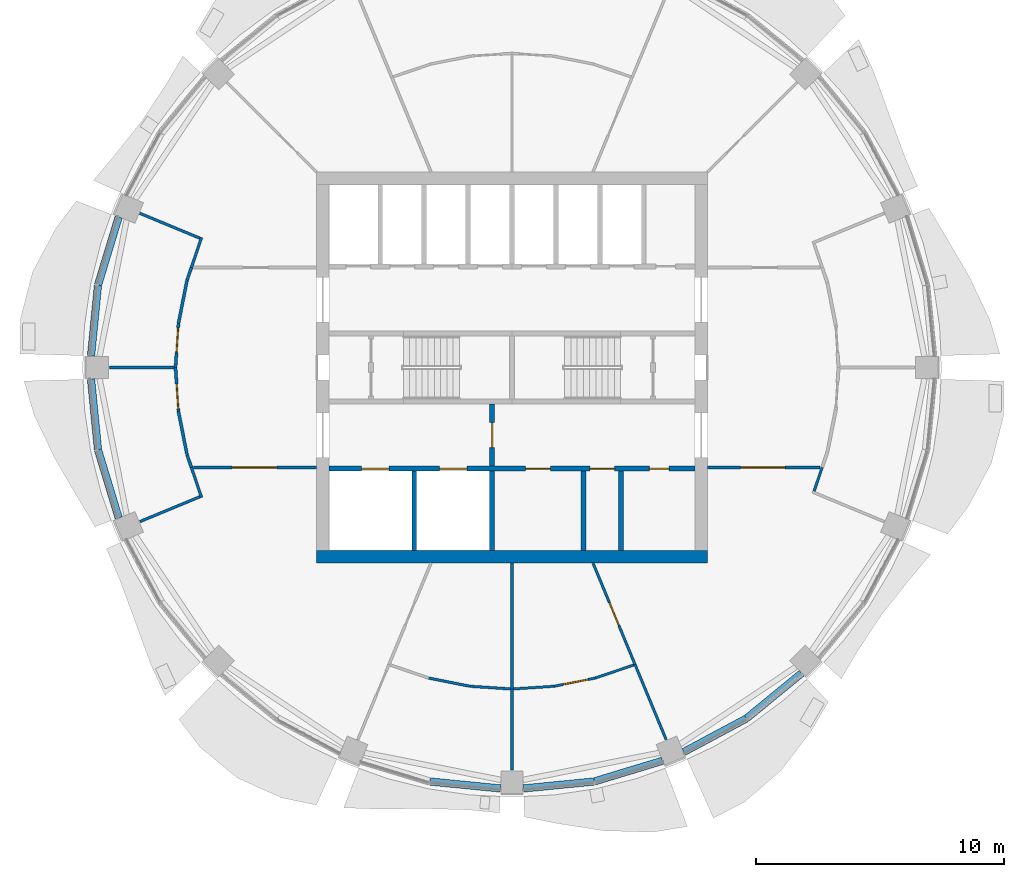
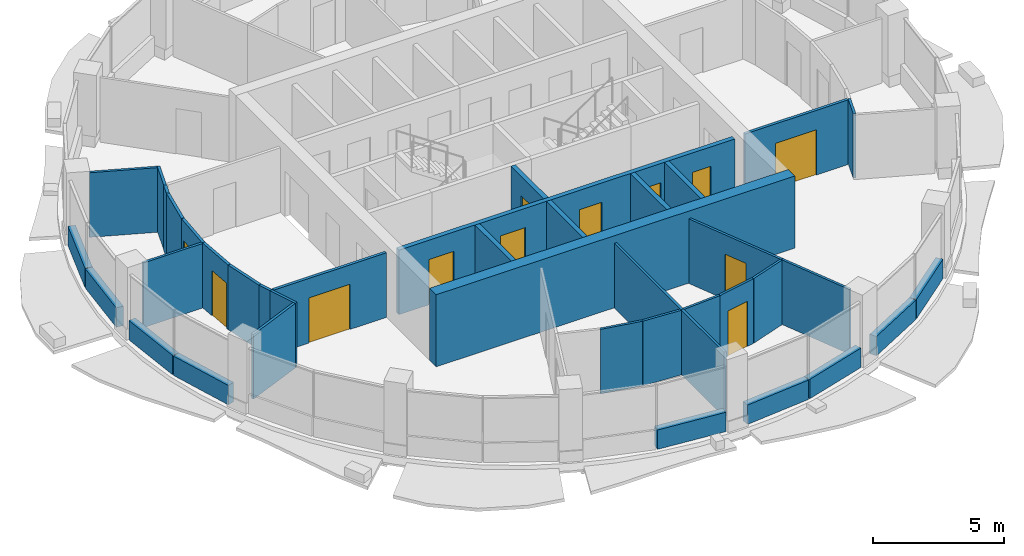
# One storey, part 8 of 15: 39 walls, 12 doors, 12 openings.
"""IFC4 building model written with IfcOpenShell, lengths in metres."""

from ifc_helpers import new_model, si_unit, direction, frame, frame_2d, origin, place, context, subcontext, project, spatial, rectangle, extrude, material, layer, layer_set, type_object, element, fill, save


model = new_model("IFC4")

# Units and contexts
model_context = context("Model", 3, precision=1e-05, world=origin(), true_north=direction((0.0, 1.0)))
body_context = subcontext(model_context, "Body", "Model", "MODEL_VIEW")
ifc_project = project(units=[si_unit("LENGTHUNIT", "METRE"), si_unit("AREAUNIT", "SQUARE_METRE"), si_unit("VOLUMEUNIT", "CUBIC_METRE"), si_unit("PLANEANGLEUNIT", "RADIAN"), si_unit("MASSUNIT", "GRAM", prefix="KILO")], contexts=[model_context])

# Site, building, storey
site_placement = place(None, origin())
site = spatial("IfcSite", under=ifc_project, at=site_placement, CompositionType="ELEMENT")
building_placement = place(site_placement, origin())
building = spatial("IfcBuilding", under=site, at=building_placement, Name="Polderwave Tower", CompositionType="ELEMENT")
storey_placement = place(building_placement, frame((0.0, 0.0, 197.699951171875)))
storey = spatial("IfcBuildingStorey", under=building, at=storey_placement, Name="L53", CompositionType="ELEMENT", Elevation=197.699951171875)

# Walls
ifc_material_1 = material(Name="Concrete C60/75", Category="concrete")
ifc_layer_1 = layer(ifc_material_1, 0.5)
ifc_layer_set_1 = layer_set([ifc_layer_1], Name="CORE WALL 500 C60/75")
wall_type_1 = type_object("IfcWallType", Name="CORE WALL 500 C60/75", PredefinedType="SHEAR", material=ifc_layer_set_1)
wall_1_placement = place(storey_placement, frame((-7.8740234375, -7.6240234375, 0.0), z_axis=(0.0, 0.0, 1.0), x_axis=(1.0, 0.0, 0.0)))
element("IfcWall", 1, at=wall_1_placement, inside=storey, type_object=wall_type_1, Name="ST-CORE-L53-S", PredefinedType="SHEAR", context=body_context, shape_type="SweptSolid", body=[
    extrude(rectangle(XDim=15.748046875, YDim=0.5, at=frame_2d((7.8740234375, 0.0))), origin(), (0.0, 0.0, 1.0), 3.35009765625),
])
ifc_material_2 = material(Name="Concrete C50/60 (board-marked)", Category="concrete")
ifc_layer_2 = layer(ifc_material_2, 0.300048828125)
ifc_layer_set_2 = layer_set([ifc_layer_2], Name="Concrete spandrel upstand C50/60")
wall_type_2 = type_object("IfcWallType", Name="Concrete spandrel upstand C50/60", PredefinedType="SOLIDWALL", material=ifc_layer_set_2)
wall_2_placement = place(storey_placement, frame((-15.84033203125, 6.0595703125, 0.0), z_axis=(0.0, 0.0, 1.0), x_axis=(-0.290432618929, -0.956895445627, 0.0)))
element("IfcWall", 2, at=wall_2_placement, inside=storey, type_object=wall_type_2, Name="Spandrel L53 8a", PredefinedType="SOLIDWALL", context=body_context, shape_type="SweptSolid", body=[
    extrude(rectangle(XDim=2.852294921875, YDim=0.300048828125, at=frame_2d((1.42626953125, 0.0))), origin(), (0.0, 0.0, 1.0), 0.900146484375),
])
for number, where, z_axis, x_axis, name in (
    (3, (-16.674560546875, 3.301025390625, 0.0), (0.0, 0.0, 1.0), (-0.098223350935, -0.995164395128, 0.0), "Spandrel L53 8b"),
    (4, (-16.95458984375, -0.4638671875, 0.0), (0.0, 0.0, 1.0), (0.098223350935, -0.995164395128, 0.0), "Spandrel L53 9a"),
):
    element("IfcWall", number, at=place(storey_placement, frame(where, z_axis=z_axis, x_axis=x_axis)), inside=storey, type_object=wall_type_2, Name=name, PredefinedType="SOLIDWALL", context=body_context, shape_type="SweptSolid", body=[
        extrude(rectangle(XDim=2.850830078125, YDim=0.300048828125, at=frame_2d((1.42529296875, 0.0))), origin(), (0.0, 0.0, 1.0), 0.900146484375),
    ])
wall_3_placement = place(storey_placement, frame((-16.668701171875, -3.330322265625, 0.0), z_axis=(0.0, 0.0, 1.0), x_axis=(0.290432618929, -0.956895445627, 0.0)))
element("IfcWall", 5, at=wall_3_placement, inside=storey, type_object=wall_type_2, Name="Spandrel L53 9b", PredefinedType="SOLIDWALL", context=body_context, shape_type="SweptSolid", body=[
    extrude(rectangle(XDim=2.852294921875, YDim=0.300048828125, at=frame_2d((1.42626953125, 0.0))), origin(), (0.0, 0.0, 1.0), 0.900146484375),
])
for number, where, z_axis, x_axis, name in (
    (6, (-3.301025390625, -16.674560546875, 0.0), (0.0, 0.0, 1.0), (0.995164395128, -0.098223350935, 0.0), "Spandrel L53 12b"),
    (7, (0.4638671875, -16.95458984375, 0.0), (0.0, 0.0, 1.0), (0.995164395128, 0.098223350935, 0.0), "Spandrel L53 13a"),
):
    element("IfcWall", number, at=place(storey_placement, frame(where, z_axis=z_axis, x_axis=x_axis)), inside=storey, type_object=wall_type_2, Name=name, PredefinedType="SOLIDWALL", context=body_context, shape_type="SweptSolid", body=[
        extrude(rectangle(XDim=2.850830078125, YDim=0.300048828125, at=frame_2d((1.42529296875, 0.0))), origin(), (0.0, 0.0, 1.0), 0.900146484375),
    ])
wall_4_placement = place(storey_placement, frame((3.330322265625, -16.668701171875, 0.0), z_axis=(0.0, 0.0, 1.0), x_axis=(0.956895445627, 0.290432618929, 0.0)))
element("IfcWall", 8, at=wall_4_placement, inside=storey, type_object=wall_type_2, Name="Spandrel L53 13b", PredefinedType="SOLIDWALL", context=body_context, shape_type="SweptSolid", body=[
    extrude(rectangle(XDim=2.852294921875, YDim=0.300048828125, at=frame_2d((1.42626953125, 0.0))), origin(), (0.0, 0.0, 1.0), 0.900146484375),
])
wall_5_placement = place(storey_placement, frame((6.917236328125, -15.48583984375, 0.0), z_axis=(0.0, 0.0, 1.0), x_axis=(0.881897285756, 0.471441594872, 0.0)))
element("IfcWall", 9, at=wall_5_placement, inside=storey, type_object=wall_type_2, Name="Spandrel L53 14a", PredefinedType="SOLIDWALL", context=body_context, shape_type="SweptSolid", body=[
    extrude(rectangle(XDim=2.850341796875, YDim=0.300048828125, at=frame_2d((1.42529296875, 0.0))), origin(), (0.0, 0.0, 1.0), 0.900146484375),
])
wall_6_placement = place(storey_placement, frame((9.45556640625, -14.12548828125, 0.0), z_axis=(0.0, 0.0, 1.0), x_axis=(0.773213238462, 0.634146109242, 0.0)))
element("IfcWall", 10, at=wall_6_placement, inside=storey, type_object=wall_type_2, Name="Spandrel L53 14b", PredefinedType="SOLIDWALL", context=body_context, shape_type="SweptSolid", body=[
    extrude(rectangle(XDim=2.852783203125, YDim=0.300048828125, at=frame_2d((1.42626953125, 0.0))), origin(), (0.0, 0.0, 1.0), 0.900146484375),
])

# Wall, opening, door
ifc_material_3 = material(Name="Gypsum board partition")
ifc_layer_3 = layer(ifc_material_3, 0.199951171875)
ifc_layer_set_3 = layer_set([ifc_layer_3], Name="Core room partition 200")
wall_type_3 = type_object("IfcWallType", Name="Core room partition 200", PredefinedType="PARTITIONING", material=ifc_layer_set_3)
wall_7_placement = place(storey_placement, frame((-0.800048828125, -3.97412109375, 0.0), z_axis=(0.0, 0.0, 1.0), x_axis=(0.0, 1.0, 0.0)))
wall_7 = element("IfcWall", 11, at=wall_7_placement, inside=storey, type_object=wall_type_3, Name="L53 fire-fighting lobby wall", PredefinedType="PARTITIONING", context=body_context, shape_type="SweptSolid", body=[
    extrude(rectangle(XDim=2.4990234375, YDim=0.199951171875, at=frame_2d((1.24951171875, 0.0))), origin(), (0.0, 0.0, 1.0), 3.0),
])
opening_1_placement = place(wall_7_placement, frame((0.74951171875, 0.0, 0.0)))
opening_1 = element("IfcOpeningElement", 12, at=opening_1_placement, cuts=wall_7, Name="Opening L53-D14", PredefinedType="OPENING", context=body_context, shape_type="SweptSolid", body=[
    extrude(rectangle(XDim=1.0, YDim=2.10009765625, at=frame_2d((0.5, 1.050048828125))), frame((0.0, 0.10986328125, 0.0), z_axis=(0.0, -1.0, 0.0), x_axis=(1.0, 0.0, 0.0)), (0.0, 0.0, 1.0), 0.219970703125),
])
ifc_material_4 = material(Name="Steel fire door", Category="steel")
door_type_1 = type_object("IfcDoorType", Name="Lobby fire door 1000", OperationType="NOTDEFINED", PredefinedType="DOOR", material=ifc_material_4)
door_1_placement = place(opening_1_placement, frame((1.0, 0.0, 0.0), z_axis=(0.0, 0.0, 1.0), x_axis=(-1.0, 0.0, 0.0)))
door_1 = element("IfcDoor", 13, at=door_1_placement, inside=storey, type_object=door_type_1, Name="Fire-fighting lobby door", OperationType="SINGLE_SWING_LEFT", OverallHeight=2.10009765625, OverallWidth=1.0, PredefinedType="DOOR", context=body_context, shape_type="SweptSolid", body=[
    extrude(rectangle(XDim=1.0, YDim=2.10009765625, at=frame_2d((0.5, 1.050048828125))), frame((0.0, 0.02490234375, 0.0), z_axis=(0.0, -1.0, 0.0), x_axis=(1.0, 0.0, 0.0)), (0.0, 0.0, 1.0), 0.050048828125),
])
fill(opening_1, door_1)

# Walls
for number, where, z_axis, x_axis, name in (
    (14, (2.88818359375, -7.3740234375, 0.0), (0.0, 0.0, 1.0), (0.0, 1.0, 0.0), "L53 room partition S1"),
    (15, (4.3837890625, -7.3740234375, 0.0), (0.0, 0.0, 1.0), (0.0, 1.0, 0.0), "L53 room partition S2"),
):
    element("IfcWall", number, at=place(storey_placement, frame(where, z_axis=z_axis, x_axis=x_axis)), inside=storey, type_object=wall_type_3, Name=name, PredefinedType="PARTITIONING", context=body_context, shape_type="SweptSolid", body=[
        extrude(rectangle(XDim=3.199951171875, YDim=0.199951171875, at=frame_2d((1.60009765625, 0.0))), origin(), (0.0, 0.0, 1.0), 3.0),
    ])

# Wall, openings, doors
ifc_material_5 = material(Name="Concrete C50/60", Category="concrete")
ifc_layer_4 = layer(ifc_material_5, 0.199951171875)
ifc_layer_set_4 = layer_set([ifc_layer_4], Name="Core web wall 200")
wall_type_4 = type_object("IfcWallType", Name="Core web wall 200", PredefinedType="SHEAR", material=ifc_layer_set_4)
wall_8_placement = place(storey_placement, frame((-7.3740234375, -4.073974609375, 0.0), z_axis=(0.0, 0.0, 1.0), x_axis=(1.0, 0.0, 0.0)))
wall_8 = element("IfcWall", 16, at=wall_8_placement, inside=storey, type_object=wall_type_4, Name="L53 south front wall", PredefinedType="SHEAR", context=body_context, shape_type="SweptSolid", body=[
    extrude(rectangle(XDim=14.748046875, YDim=0.199951171875, at=frame_2d((7.3740234375, 0.0))), origin(), (0.0, 0.0, 1.0), 3.0),
])
opening_2_placement = place(wall_8_placement, frame((1.318603515625, 0.0, 0.0)))
opening_2 = element("IfcOpeningElement", 17, at=opening_2_placement, cuts=wall_8, Name="Opening L53-D01", PredefinedType="OPENING", context=body_context, shape_type="SweptSolid", body=[
    extrude(rectangle(XDim=1.10009765625, YDim=2.10009765625, at=frame_2d((0.550048828125, 1.050048828125))), frame((0.0, 0.10986328125, 0.0), z_axis=(0.0, -1.0, 0.0), x_axis=(1.0, 0.0, 0.0)), (0.0, 0.0, 1.0), 0.219970703125),
])
opening_3_placement = place(wall_8_placement, frame((4.45556640625, 0.0, 0.0)))
opening_3 = element("IfcOpeningElement", 18, at=opening_3_placement, cuts=wall_8, Name="Opening L53-D02", PredefinedType="OPENING", context=body_context, shape_type="SweptSolid", body=[
    extrude(rectangle(XDim=1.10009765625, YDim=2.10009765625, at=frame_2d((0.550048828125, 1.050048828125))), frame((0.0, 0.10986328125, 0.0), z_axis=(0.0, -1.0, 0.0), x_axis=(1.0, 0.0, 0.0)), (0.0, 0.0, 1.0), 0.219970703125),
])
opening_4_placement = place(wall_8_placement, frame((7.918212890625, 0.0, 0.0)))
opening_4 = element("IfcOpeningElement", 19, at=opening_4_placement, cuts=wall_8, Name="Opening L53-D15", PredefinedType="OPENING", context=body_context, shape_type="SweptSolid", body=[
    extrude(rectangle(XDim=1.0, YDim=2.10009765625, at=frame_2d((0.5, 1.050048828125))), frame((0.0, 0.10986328125, 0.0), z_axis=(0.0, -1.0, 0.0), x_axis=(1.0, 0.0, 0.0)), (0.0, 0.0, 1.0), 0.219970703125),
])
opening_5_placement = place(wall_8_placement, frame((10.510009765625, 0.0, 0.0)))
opening_5 = element("IfcOpeningElement", 20, at=opening_5_placement, cuts=wall_8, Name="Opening L53-D16", PredefinedType="OPENING", context=body_context, shape_type="SweptSolid", body=[
    extrude(rectangle(XDim=1.0, YDim=2.10009765625, at=frame_2d((0.5, 1.050048828125))), frame((0.0, 0.10986328125, 0.0), z_axis=(0.0, -1.0, 0.0), x_axis=(1.0, 0.0, 0.0)), (0.0, 0.0, 1.0), 0.219970703125),
])
opening_6_placement = place(wall_8_placement, frame((12.90283203125, 0.0, 0.0)))
opening_6 = element("IfcOpeningElement", 21, at=opening_6_placement, cuts=wall_8, Name="Opening L53-D17", PredefinedType="OPENING", context=body_context, shape_type="SweptSolid", body=[
    extrude(rectangle(XDim=0.800048828125, YDim=2.10009765625, at=frame_2d((0.39990234375, 1.050048828125))), frame((0.0, 0.10986328125, 0.0), z_axis=(0.0, -1.0, 0.0), x_axis=(1.0, 0.0, 0.0)), (0.0, 0.0, 1.0), 0.219970703125),
])
ifc_material_6 = material(Name="Stainless steel", Category="steel")
door_type_2 = type_object("IfcDoorType", Name="Fire-fighting lift landing door 1100", OperationType="DOUBLE_DOOR_SLIDING", PredefinedType="DOOR", material=ifc_material_6)
door_2_placement = place(opening_2_placement, origin())
door_2 = element("IfcDoor", 22, at=door_2_placement, inside=storey, type_object=door_type_2, Name="Fire-fighting lift FF1 landing door", OperationType="DOUBLE_DOOR_SLIDING", OverallHeight=2.10009765625, OverallWidth=1.10009765625, PredefinedType="DOOR", context=body_context, shape_type="SweptSolid", body=[
    extrude(rectangle(XDim=1.10009765625, YDim=2.10009765625, at=frame_2d((0.550048828125, 1.050048828125))), frame((0.0, 0.02490234375, 0.0), z_axis=(0.0, -1.0, 0.0), x_axis=(1.0, 0.0, 0.0)), (0.0, 0.0, 1.0), 0.050048828125),
])
fill(opening_2, door_2)
door_3_placement = place(opening_3_placement, origin())
door_3 = element("IfcDoor", 23, at=door_3_placement, inside=storey, type_object=door_type_2, Name="Fire-fighting lift FF2 landing door", OperationType="DOUBLE_DOOR_SLIDING", OverallHeight=2.10009765625, OverallWidth=1.10009765625, PredefinedType="DOOR", context=body_context, shape_type="SweptSolid", body=[
    extrude(rectangle(XDim=1.10009765625, YDim=2.10009765625, at=frame_2d((0.550048828125, 1.050048828125))), frame((0.0, 0.02490234375, 0.0), z_axis=(0.0, -1.0, 0.0), x_axis=(1.0, 0.0, 0.0)), (0.0, 0.0, 1.0), 0.050048828125),
])
fill(opening_3, door_3)
door_type_3 = type_object("IfcDoorType", Name="Riser door 800", OperationType="NOTDEFINED", PredefinedType="DOOR", material=ifc_material_4)
door_4_placement = place(opening_6_placement, origin())
door_4 = element("IfcDoor", 24, at=door_4_placement, inside=storey, type_object=door_type_3, Name="Communications room door", OperationType="SINGLE_SWING_RIGHT", OverallHeight=2.10009765625, OverallWidth=0.800048828125, PredefinedType="DOOR", context=body_context, shape_type="SweptSolid", body=[
    extrude(rectangle(XDim=0.800048828125, YDim=2.10009765625, at=frame_2d((0.39990234375, 1.050048828125))), frame((0.0, 0.02490234375, 0.0), z_axis=(0.0, -1.0, 0.0), x_axis=(1.0, 0.0, 0.0)), (0.0, 0.0, 1.0), 0.050048828125),
])
fill(opening_6, door_4)
ifc_material_7 = material(Name="Timber door leaf", Category="wood")
door_type_4 = type_object("IfcDoorType", Name="Room door 1000", OperationType="NOTDEFINED", PredefinedType="DOOR", material=ifc_material_7)
door_5_placement = place(opening_4_placement, frame((1.0, 0.0, 0.0), z_axis=(0.0, 0.0, 1.0), x_axis=(-1.0, 0.0, 0.0)))
door_5 = element("IfcDoor", 25, at=door_5_placement, inside=storey, type_object=door_type_4, Name="Pantry door", OperationType="SINGLE_SWING_LEFT", OverallHeight=2.10009765625, OverallWidth=1.0, PredefinedType="DOOR", context=body_context, shape_type="SweptSolid", body=[
    extrude(rectangle(XDim=1.0, YDim=2.10009765625, at=frame_2d((0.5, 1.050048828125))), frame((0.0, 0.02490234375, 0.0), z_axis=(0.0, -1.0, 0.0), x_axis=(1.0, 0.0, 0.0)), (0.0, 0.0, 1.0), 0.050048828125),
])
fill(opening_4, door_5)
door_6_placement = place(opening_5_placement, frame((1.0, 0.0, 0.0), z_axis=(0.0, 0.0, 1.0), x_axis=(-1.0, 0.0, 0.0)))
door_6 = element("IfcDoor", 26, at=door_6_placement, inside=storey, type_object=door_type_4, Name="Cleaner's store door", OperationType="SINGLE_SWING_LEFT", OverallHeight=2.10009765625, OverallWidth=1.0, PredefinedType="DOOR", context=body_context, shape_type="SweptSolid", body=[
    extrude(rectangle(XDim=1.0, YDim=2.10009765625, at=frame_2d((0.5, 1.050048828125))), frame((0.0, 0.02490234375, 0.0), z_axis=(0.0, -1.0, 0.0), x_axis=(1.0, 0.0, 0.0)), (0.0, 0.0, 1.0), 0.050048828125),
])
fill(opening_5, door_6)

# Wall, opening, door
ifc_material_8 = material(Name="Fire-resisting board on steel studs", Category="steel")
ifc_layer_5 = layer(ifc_material_8, 0.125)
ifc_layer_set_5 = layer_set([ifc_layer_5], Name="Corridor wall 125 mm EI 60")
wall_type_5 = type_object("IfcWallType", Name="Corridor wall 125 mm EI 60", PredefinedType="PARTITIONING", material=ifc_layer_set_5)
wall_9_placement = place(storey_placement, frame((12.40380859375, -4.0244140625, 0.0), z_axis=(0.0, 0.0, 1.0), x_axis=(-1.0, 0.0, 0.0)))
wall_9 = element("IfcWall", 27, at=wall_9_placement, inside=storey, type_object=wall_type_5, Name="IN-L53-W005", PredefinedType="PARTITIONING", context=body_context, shape_type="SweptSolid", body=[
    extrude(rectangle(XDim=4.52978515625, YDim=0.125, at=frame_2d((2.264892578125, 0.0))), origin(), (0.0, 0.0, 1.0), 3.0),
])
opening_7_placement = place(wall_9_placement, frame((1.39990234375, 0.0, 0.0)))
opening_7 = element("IfcOpeningElement", 28, at=opening_7_placement, cuts=wall_9, Name="Opening L53-D52", PredefinedType="OPENING", context=body_context, shape_type="SweptSolid", body=[
    extrude(rectangle(XDim=1.800048828125, YDim=2.10009765625, at=frame_2d((0.89990234375, 1.050048828125))), frame((0.0, 0.072509765625, 0.0), z_axis=(0.0, -1.0, 0.0), x_axis=(1.0, 0.0, 0.0)), (0.0, 0.0, 1.0), 0.14501953125),
])
ifc_material_9 = material(Name="Timber fire door leaves", Category="wood")
door_type_5 = type_object("IfcDoorType", Name="Double fire door FD30S 1800 x 2100", OperationType="NOTDEFINED", PredefinedType="DOOR", material=ifc_material_9)
door_7_placement = place(opening_7_placement, origin())
door_7 = element("IfcDoor", 29, at=door_7_placement, inside=storey, type_object=door_type_5, Name="Door L53-D52", OperationType="DOUBLE_DOOR_SINGLE_SWING", OverallHeight=2.10009765625, OverallWidth=1.800048828125, PredefinedType="DOOR", context=body_context, shape_type="SweptSolid", body=[
    extrude(rectangle(XDim=1.800048828125, YDim=2.10009765625, at=frame_2d((0.89990234375, 1.050048828125))), frame((0.0, 0.02490234375, 0.0), z_axis=(0.0, -1.0, 0.0), x_axis=(1.0, 0.0, 0.0)), (0.0, 0.0, 1.0), 0.050048828125),
])
fill(opening_7, door_7)

wall_10_placement = place(storey_placement, frame((-13.550048828125, 0.0, 0.0), z_axis=(0.0, 0.0, 1.0), x_axis=(0.065446765392, 0.997856062215, 0.0)))
wall_10 = element("IfcWall", 30, at=wall_10_placement, inside=storey, type_object=wall_type_5, Name="IN-L53-W010", PredefinedType="PARTITIONING", context=body_context, shape_type="SweptSolid", body=[
    extrude(rectangle(XDim=1.768310546875, YDim=0.125, at=frame_2d((0.88427734375, 0.0))), origin(), (0.0, 0.0, 1.0), 3.0),
])
opening_8_placement = place(wall_10_placement, frame((0.60009765625, 0.0, 0.0)))
opening_8 = element("IfcOpeningElement", 31, at=opening_8_placement, cuts=wall_10, Name="Opening L53-D55", PredefinedType="OPENING", context=body_context, shape_type="SweptSolid", body=[
    extrude(rectangle(XDim=1.0, YDim=2.10009765625, at=frame_2d((0.5, 1.050048828125))), frame((0.0, 0.072509765625, 0.0), z_axis=(0.0, -1.0, 0.0), x_axis=(1.0, 0.0, 0.0)), (0.0, 0.0, 1.0), 0.14501953125),
])
ifc_material_10 = material(Name="Timber fire door leaf", Category="wood")
door_type_6 = type_object("IfcDoorType", Name="Fire door FD30S 1000 x 2100", OperationType="NOTDEFINED", PredefinedType="DOOR", material=ifc_material_10)
door_8_placement = place(opening_8_placement, origin())
door_8 = element("IfcDoor", 32, at=door_8_placement, inside=storey, type_object=door_type_6, Name="Door L53-D55", OperationType="SINGLE_SWING_RIGHT", OverallHeight=2.10009765625, OverallWidth=1.0, PredefinedType="DOOR", context=body_context, shape_type="SweptSolid", body=[
    extrude(rectangle(XDim=1.0, YDim=2.10009765625, at=frame_2d((0.5, 1.050048828125))), frame((0.0, 0.02490234375, 0.0), z_axis=(0.0, -1.0, 0.0), x_axis=(1.0, 0.0, 0.0)), (0.0, 0.0, 1.0), 0.050048828125),
])
fill(opening_8, door_8)

# Walls
wall_11_placement = place(storey_placement, frame((-13.433349609375, 1.772705078125, 0.0), z_axis=(0.0, 0.0, 1.0), x_axis=(0.195131330955, 0.980777122327, 0.0)))
element("IfcWall", 33, at=wall_11_placement, inside=storey, type_object=wall_type_5, Name="IN-L53-W011", PredefinedType="PARTITIONING", context=body_context, shape_type="SweptSolid", body=[
    extrude(rectangle(XDim=1.76416015625, YDim=0.125, at=frame_2d((0.882080078125, 0.0))), origin(), (0.0, 0.0, 1.0), 3.0),
])
wall_12_placement = place(storey_placement, frame((-13.0869140625, 3.510986328125, 0.0), z_axis=(0.0, 0.0, 1.0), x_axis=(0.321491020406, 0.946912627331, 0.0)))
element("IfcWall", 34, at=wall_12_placement, inside=storey, type_object=wall_type_5, Name="IN-L53-W012", PredefinedType="PARTITIONING", context=body_context, shape_type="SweptSolid", body=[
    extrude(rectangle(XDim=0.542236328125, YDim=0.125, at=frame_2d((0.27099609375, 0.0))), origin(), (0.0, 0.0, 1.0), 3.0),
])

# Wall, opening, door
wall_13_placement = place(storey_placement, frame((-13.434326171875, -1.764404296875, 0.0), z_axis=(0.0, 0.0, 1.0), x_axis=(-0.065446765392, 0.997856062215, 0.0)))
wall_13 = element("IfcWall", 35, at=wall_13_placement, inside=storey, type_object=wall_type_5, Name="IN-L53-W013", PredefinedType="PARTITIONING", context=body_context, shape_type="SweptSolid", body=[
    extrude(rectangle(XDim=1.768310546875, YDim=0.125, at=frame_2d((0.88427734375, 0.0))), origin(), (0.0, 0.0, 1.0), 3.0),
])
opening_9_placement = place(wall_13_placement, frame((0.10009765625, 0.0, 0.0)))
opening_9 = element("IfcOpeningElement", 36, at=opening_9_placement, cuts=wall_13, Name="Opening L53-D56", PredefinedType="OPENING", context=body_context, shape_type="SweptSolid", body=[
    extrude(rectangle(XDim=1.0, YDim=2.10009765625, at=frame_2d((0.5, 1.050048828125))), frame((0.0, 0.072509765625, 0.0), z_axis=(0.0, -1.0, 0.0), x_axis=(1.0, 0.0, 0.0)), (0.0, 0.0, 1.0), 0.14501953125),
])
door_9_placement = place(opening_9_placement, origin())
door_9 = element("IfcDoor", 37, at=door_9_placement, inside=storey, type_object=door_type_6, Name="Door L53-D56", OperationType="SINGLE_SWING_LEFT", OverallHeight=2.10009765625, OverallWidth=1.0, PredefinedType="DOOR", context=body_context, shape_type="SweptSolid", body=[
    extrude(rectangle(XDim=1.0, YDim=2.10009765625, at=frame_2d((0.5, 1.050048828125))), frame((0.0, 0.02490234375, 0.0), z_axis=(0.0, -1.0, 0.0), x_axis=(1.0, 0.0, 0.0)), (0.0, 0.0, 1.0), 0.050048828125),
])
fill(opening_9, door_9)

# Walls
wall_14_placement = place(storey_placement, frame((-13.089111328125, -3.5029296875, 0.0), z_axis=(0.0, 0.0, 1.0), x_axis=(-0.195131330955, 0.980777122327, 0.0)))
element("IfcWall", 38, at=wall_14_placement, inside=storey, type_object=wall_type_5, Name="IN-L53-W014", PredefinedType="PARTITIONING", context=body_context, shape_type="SweptSolid", body=[
    extrude(rectangle(XDim=1.76416015625, YDim=0.125, at=frame_2d((0.882080078125, 0.0))), origin(), (0.0, 0.0, 1.0), 3.0),
])
wall_15_placement = place(storey_placement, frame((-12.91259765625, -4.0244140625, 0.0), z_axis=(0.0, 0.0, 1.0), x_axis=(-0.321491020406, 0.946912627331, 0.0)))
element("IfcWall", 39, at=wall_15_placement, inside=storey, type_object=wall_type_5, Name="IN-L53-W015", PredefinedType="PARTITIONING", context=body_context, shape_type="SweptSolid", body=[
    extrude(rectangle(XDim=0.542236328125, YDim=0.125, at=frame_2d((0.27099609375, 0.0))), origin(), (0.0, 0.0, 1.0), 3.0),
])

# Wall, opening, door
wall_16_placement = place(storey_placement, frame((-7.8740234375, -4.0244140625, 0.0), z_axis=(0.0, 0.0, 1.0), x_axis=(-1.0, 0.0, 0.0)))
wall_16 = element("IfcWall", 40, at=wall_16_placement, inside=storey, type_object=wall_type_5, Name="IN-L53-W016", PredefinedType="PARTITIONING", context=body_context, shape_type="SweptSolid", body=[
    extrude(rectangle(XDim=4.951416015625, YDim=0.125, at=frame_2d((2.4755859375, 0.0))), origin(), (0.0, 0.0, 1.0), 3.0),
])
opening_10_placement = place(wall_16_placement, frame((1.60009765625, 0.0, 0.0)))
opening_10 = element("IfcOpeningElement", 41, at=opening_10_placement, cuts=wall_16, Name="Opening L53-D57", PredefinedType="OPENING", context=body_context, shape_type="SweptSolid", body=[
    extrude(rectangle(XDim=1.800048828125, YDim=2.10009765625, at=frame_2d((0.89990234375, 1.050048828125))), frame((0.0, 0.072509765625, 0.0), z_axis=(0.0, -1.0, 0.0), x_axis=(1.0, 0.0, 0.0)), (0.0, 0.0, 1.0), 0.14501953125),
])
door_10_placement = place(opening_10_placement, origin())
door_10 = element("IfcDoor", 42, at=door_10_placement, inside=storey, type_object=door_type_5, Name="Door L53-D57", OperationType="DOUBLE_DOOR_SINGLE_SWING", OverallHeight=2.10009765625, OverallWidth=1.800048828125, PredefinedType="DOOR", context=body_context, shape_type="SweptSolid", body=[
    extrude(rectangle(XDim=1.800048828125, YDim=2.10009765625, at=frame_2d((0.89990234375, 1.050048828125))), frame((0.0, 0.02490234375, 0.0), z_axis=(0.0, -1.0, 0.0), x_axis=(1.0, 0.0, 0.0)), (0.0, 0.0, 1.0), 0.050048828125),
])
fill(opening_10, door_10)

# Wall
ifc_material_11 = material(Name="Plasterboard on steel studs", Category="steel")
ifc_layer_6 = layer(ifc_material_11, 0.10009765625)
ifc_layer_set_6 = layer_set([ifc_layer_6], Name="Partition 100 mm plasterboard on steel studs")
wall_type_6 = type_object("IfcWallType", Name="Partition 100 mm plasterboard on steel studs", PredefinedType="PARTITIONING", material=ifc_layer_set_6)
wall_17_placement = place(storey_placement, frame((1.68701171875, -12.83935546875, 0.0), z_axis=(0.0, 0.0, 1.0), x_axis=(-0.99785150194, -0.06551625811, 0.0)))
element("IfcWall", 43, at=wall_17_placement, inside=storey, type_object=wall_type_6, Name="IN-L53-W045", PredefinedType="PARTITIONING", context=body_context, shape_type="SweptSolid", body=[
    extrude(rectangle(XDim=1.632080078125, YDim=0.10009765625, at=frame_2d((0.81591796875, 0.0))), origin(), (0.0, 0.0, 1.0), 3.0),
])

# Wall, opening, door
wall_18_placement = place(storey_placement, frame((3.348388671875, -12.50927734375, 0.0), z_axis=(0.0, 0.0, 1.0), x_axis=(-0.98076390104, -0.195197772573, 0.0)))
wall_18 = element("IfcWall", 44, at=wall_18_placement, inside=storey, type_object=wall_type_6, Name="IN-L53-W046", PredefinedType="PARTITIONING", context=body_context, shape_type="SweptSolid", body=[
    extrude(rectangle(XDim=1.687255859375, YDim=0.10009765625, at=frame_2d((0.84375, 0.0))), origin(), (0.0, 0.0, 1.0), 3.0),
])
opening_11_placement = place(wall_18_placement, frame((0.300048828125, 0.0, 0.0)))
opening_11 = element("IfcOpeningElement", 45, at=opening_11_placement, cuts=wall_18, Name="Opening L53-D65", PredefinedType="OPENING", context=body_context, shape_type="SweptSolid", body=[
    extrude(rectangle(XDim=1.0, YDim=2.10009765625, at=frame_2d((0.5, 1.050048828125))), frame((0.0, 0.06005859375, 0.0), z_axis=(0.0, -1.0, 0.0), x_axis=(1.0, 0.0, 0.0)), (0.0, 0.0, 1.0), 0.1201171875),
])
ifc_material_12 = material(Name="Timber veneer door leaf", Category="wood")
door_type_7 = type_object("IfcDoorType", Name="Single door 1000 x 2100", OperationType="NOTDEFINED", PredefinedType="DOOR", material=ifc_material_12)
door_11_placement = place(opening_11_placement, origin())
door_11 = element("IfcDoor", 46, at=door_11_placement, inside=storey, type_object=door_type_7, Name="Door L53-D65", OperationType="SINGLE_SWING_LEFT", OverallHeight=2.10009765625, OverallWidth=1.0, PredefinedType="DOOR", context=body_context, shape_type="SweptSolid", body=[
    extrude(rectangle(XDim=1.0, YDim=2.10009765625, at=frame_2d((0.5, 1.050048828125))), frame((0.0, 0.02490234375, 0.0), z_axis=(0.0, -1.0, 0.0), x_axis=(1.0, 0.0, 0.0)), (0.0, 0.0, 1.0), 0.050048828125),
])
fill(opening_11, door_11)

# Walls
wall_19_placement = place(storey_placement, frame((4.90283203125, -11.982177734375, 0.0), z_axis=(0.0, 0.0, 1.0), x_axis=(-0.94695192125, -0.321375261714, 0.0)))
element("IfcWall", 47, at=wall_19_placement, inside=storey, type_object=wall_type_6, Name="IN-L53-W047", PredefinedType="PARTITIONING", context=body_context, shape_type="SweptSolid", body=[
    extrude(rectangle(XDim=1.634765625, YDim=0.10009765625, at=frame_2d((0.8173828125, 0.0))), origin(), (0.0, 0.0, 1.0), 3.0),
])
ifc_material_13 = material(Name="Moisture-resistant board on steel studs, tiled", Category="steel")
ifc_layer_7 = layer(ifc_material_13, 0.10498046875)
ifc_layer_set_7 = layer_set([ifc_layer_7], Name="Partition 105 mm wet room board and tile")
wall_type_7 = type_object("IfcWallType", Name="Partition 105 mm wet room board and tile", PredefinedType="PARTITIONING", material=ifc_layer_set_7)
wall_20_placement = place(storey_placement, frame((-1.693603515625, -12.83837890625, 0.0), z_axis=(0.0, 0.0, 1.0), x_axis=(-0.980819267524, 0.194919379368, 0.0)))
element("IfcWall", 48, at=wall_20_placement, inside=storey, type_object=wall_type_7, Name="IN-L53-W041", PredefinedType="PARTITIONING", context=body_context, shape_type="SweptSolid", body=[
    extrude(rectangle(XDim=1.687255859375, YDim=0.10498046875, at=frame_2d((0.84375, 0.0))), origin(), (0.0, 0.0, 1.0), 3.0),
])
wall_21_placement = place(storey_placement, frame((-0.058349609375, -12.9462890625, 0.0), z_axis=(0.0, 0.0, 1.0), x_axis=(-0.99785150194, 0.06551625811, 0.0)))
element("IfcWall", 49, at=wall_21_placement, inside=storey, type_object=wall_type_7, Name="IN-L53-W042", PredefinedType="PARTITIONING", context=body_context, shape_type="SweptSolid", body=[
    extrude(rectangle(XDim=1.632080078125, YDim=0.10498046875, at=frame_2d((0.81591796875, 0.0))), origin(), (0.0, 0.0, 1.0), 3.0),
])
wall_22_placement = place(storey_placement, frame((0.0, -7.8740234375, 0.0), z_axis=(0.0, 0.0, 1.0), x_axis=(0.0, -1.0, 0.0)))
element("IfcWall", 50, at=wall_22_placement, inside=storey, type_object=wall_type_7, Name="IN-L53-W043", PredefinedType="PARTITIONING", context=body_context, shape_type="SweptSolid", body=[
    extrude(rectangle(XDim=5.075927734375, YDim=0.10498046875, at=frame_2d((2.5380859375, 0.0))), origin(), (0.0, 0.0, 1.0), 3.0),
])

# Wall, opening, door
wall_23_placement = place(storey_placement, frame((4.955810546875, -11.964111328125, 0.0), z_axis=(0.0, 0.0, 1.0), x_axis=(-0.38271544888, 0.923866270186, 0.0)))
wall_23 = element("IfcWall", 51, at=wall_23_placement, inside=storey, type_object=wall_type_7, Name="IN-L53-W048", PredefinedType="PARTITIONING", context=body_context, shape_type="SweptSolid", body=[
    extrude(rectangle(XDim=4.42724609375, YDim=0.10498046875, at=frame_2d((2.213623046875, 0.0))), origin(), (0.0, 0.0, 1.0), 3.0),
])
opening_12_placement = place(wall_23_placement, frame((1.699951171875, 0.0, 0.0)))
opening_12 = element("IfcOpeningElement", 52, at=opening_12_placement, cuts=wall_23, Name="Opening L53-D66", PredefinedType="OPENING", context=body_context, shape_type="SweptSolid", body=[
    extrude(rectangle(XDim=1.0, YDim=2.10009765625, at=frame_2d((0.5, 1.050048828125))), frame((0.0, 0.0625, 0.0), z_axis=(0.0, -1.0, 0.0), x_axis=(1.0, 0.0, 0.0)), (0.0, 0.0, 1.0), 0.125),
])
door_12_placement = place(opening_12_placement, origin())
door_12 = element("IfcDoor", 53, at=door_12_placement, inside=storey, type_object=door_type_7, Name="Door L53-D66", OperationType="SINGLE_SWING_LEFT", OverallHeight=2.10009765625, OverallWidth=1.0, PredefinedType="DOOR", context=body_context, shape_type="SweptSolid", body=[
    extrude(rectangle(XDim=1.0, YDim=2.10009765625, at=frame_2d((0.5, 1.050048828125))), frame((0.0, 0.02490234375, 0.0), z_axis=(0.0, -1.0, 0.0), x_axis=(1.0, 0.0, 0.0)), (0.0, 0.0, 1.0), 0.050048828125),
])
fill(opening_12, door_12)

# Walls
wall_24_placement = place(storey_placement, frame((4.955810546875, -11.964111328125, 0.0), z_axis=(0.0, 0.0, 1.0), x_axis=(0.382626535499, -0.923903097912, 0.0)))
element("IfcWall", 54, at=wall_24_placement, inside=storey, type_object=wall_type_7, Name="IN-L53-W049", PredefinedType="PARTITIONING", context=body_context, shape_type="SweptSolid", body=[
    extrude(rectangle(XDim=3.27001953125, YDim=0.10498046875, at=frame_2d((1.635009765625, 0.0))), origin(), (0.0, 0.0, 1.0), 3.0),
])
wall_25_placement = place(storey_placement, frame((12.4912109375, -4.0244140625, 0.0), z_axis=(0.0, 0.0, 1.0), x_axis=(-0.321525085424, -0.946901061064, 0.0)))
element("IfcWall", 55, at=wall_25_placement, inside=storey, type_object=wall_type_7, Name="IN-L53-W051", PredefinedType="PARTITIONING", context=body_context, shape_type="SweptSolid", body=[
    extrude(rectangle(XDim=1.00830078125, YDim=0.10498046875, at=frame_2d((0.504150390625, 0.0))), origin(), (0.0, 0.0, 1.0), 3.0),
])
ifc_material_14 = material(Name="Acoustic double plasterboard on steel studs", Category="steel")
ifc_layer_8 = layer(ifc_material_14, 0.110107421875)
ifc_layer_set_8 = layer_set([ifc_layer_8], Name="Partition 110 mm acoustic double board")
wall_type_8 = type_object("IfcWallType", Name="Partition 110 mm acoustic double board", PredefinedType="PARTITIONING", material=ifc_layer_set_8)
wall_26_placement = place(storey_placement, frame((-12.91259765625, 4.0244140625, 0.0), z_axis=(0.0, 0.0, 1.0), x_axis=(0.32136960108, 0.946953842329, 0.0)))
element("IfcWall", 56, at=wall_26_placement, inside=storey, type_object=wall_type_8, Name="IN-L53-W033", PredefinedType="PARTITIONING", context=body_context, shape_type="SweptSolid", body=[
    extrude(rectangle(XDim=1.28076171875, YDim=0.110107421875, at=frame_2d((0.640380859375, 0.0))), origin(), (0.0, 0.0, 1.0), 3.0),
])
wall_27_placement = place(storey_placement, frame((-12.572998046875, 5.207763671875, 0.0), z_axis=(0.0, 0.0, 1.0), x_axis=(-0.923874382429, 0.382695865528, 0.0)))
element("IfcWall", 57, at=wall_27_placement, inside=storey, type_object=wall_type_8, Name="IN-L53-W034", PredefinedType="PARTITIONING", context=body_context, shape_type="SweptSolid", body=[
    extrude(rectangle(XDim=2.611083984375, YDim=0.110107421875, at=frame_2d((1.3056640625, 0.0))), origin(), (0.0, 0.0, 1.0), 3.0),
])
wall_28_placement = place(storey_placement, frame((-13.6162109375, 0.0, 0.0), z_axis=(0.0, 0.0, 1.0), x_axis=(-1.0, 0.0, 0.0)))
element("IfcWall", 58, at=wall_28_placement, inside=storey, type_object=wall_type_8, Name="IN-L53-W035", PredefinedType="PARTITIONING", context=body_context, shape_type="SweptSolid", body=[
    extrude(rectangle(XDim=2.603759765625, YDim=0.110107421875, at=frame_2d((1.3017578125, 0.0))), origin(), (0.0, 0.0, 1.0), 3.0),
])
wall_29_placement = place(storey_placement, frame((-12.91259765625, -4.0244140625, 0.0), z_axis=(0.0, 0.0, 1.0), x_axis=(0.32136960108, -0.946953842329, 0.0)))
element("IfcWall", 59, at=wall_29_placement, inside=storey, type_object=wall_type_8, Name="IN-L53-W036", PredefinedType="PARTITIONING", context=body_context, shape_type="SweptSolid", body=[
    extrude(rectangle(XDim=1.28076171875, YDim=0.110107421875, at=frame_2d((0.640380859375, 0.0))), origin(), (0.0, 0.0, 1.0), 3.0),
])
wall_30_placement = place(storey_placement, frame((-12.572998046875, -5.2080078125, 0.0), z_axis=(0.0, 0.0, 1.0), x_axis=(-0.923907438328, -0.382616054816, 0.0)))
element("IfcWall", 60, at=wall_30_placement, inside=storey, type_object=wall_type_8, Name="IN-L53-W037", PredefinedType="PARTITIONING", context=body_context, shape_type="SweptSolid", body=[
    extrude(rectangle(XDim=2.611083984375, YDim=0.110107421875, at=frame_2d((1.3056640625, 0.0))), origin(), (0.0, 0.0, 1.0), 3.0),
])
wall_31_placement = place(storey_placement, frame((0.0, -12.949951171875, 0.0), z_axis=(0.0, 0.0, 1.0), x_axis=(0.0, -1.0, 0.0)))
element("IfcWall", 61, at=wall_31_placement, inside=storey, type_object=wall_type_8, Name="IN-L53-W044", PredefinedType="PARTITIONING", context=body_context, shape_type="SweptSolid", body=[
    extrude(rectangle(XDim=3.27001953125, YDim=0.110107421875, at=frame_2d((1.635009765625, 0.0))), origin(), (0.0, 0.0, 1.0), 3.0),
])
ifc_material_15 = material(Name="Gypsum shaft wall system")
ifc_layer_9 = layer(ifc_material_15, 0.199951171875)
ifc_layer_set_9 = layer_set([ifc_layer_9], Name="Shaft wall 200")
wall_type_9 = type_object("IfcWallType", Name="Shaft wall 200", PredefinedType="PARTITIONING", material=ifc_layer_set_9)
for number, where, z_axis, x_axis, name in (
    (62, (-3.93701171875, -7.3740234375, 0.0), (0.0, 0.0, 1.0), (0.0, 1.0, 0.0), "L53 fire-fighting shaft wall 1"),
    (63, (-0.800048828125, -7.3740234375, 0.0), (0.0, 0.0, 1.0), (0.0, 1.0, 0.0), "L53 fire-fighting shaft wall 2"),
):
    element("IfcWall", number, at=place(storey_placement, frame(where, z_axis=z_axis, x_axis=x_axis)), inside=storey, type_object=wall_type_9, Name=name, PredefinedType="PARTITIONING", context=body_context, shape_type="SweptSolid", body=[
        extrude(rectangle(XDim=3.199951171875, YDim=0.199951171875, at=frame_2d((1.60009765625, 0.0))), origin(), (0.0, 0.0, 1.0), 3.0),
    ])

save(model, "model.ifc")
